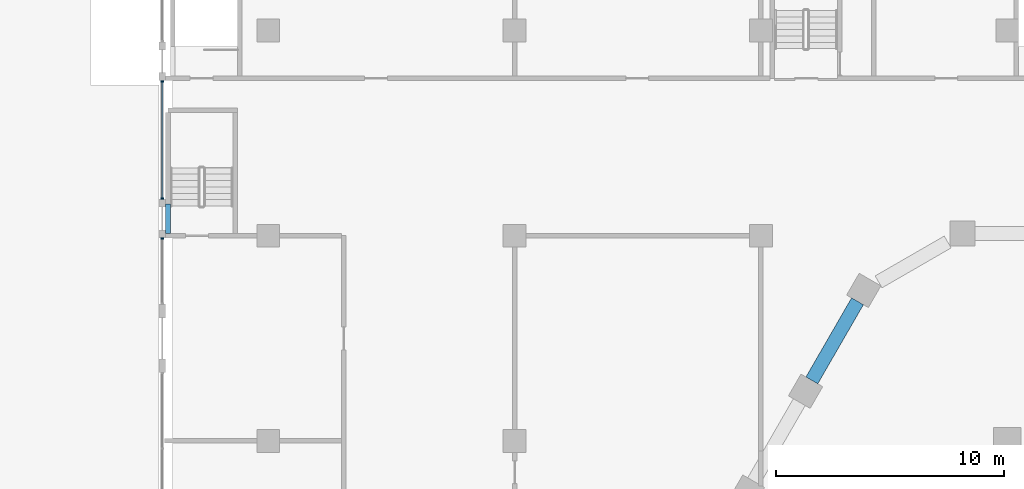
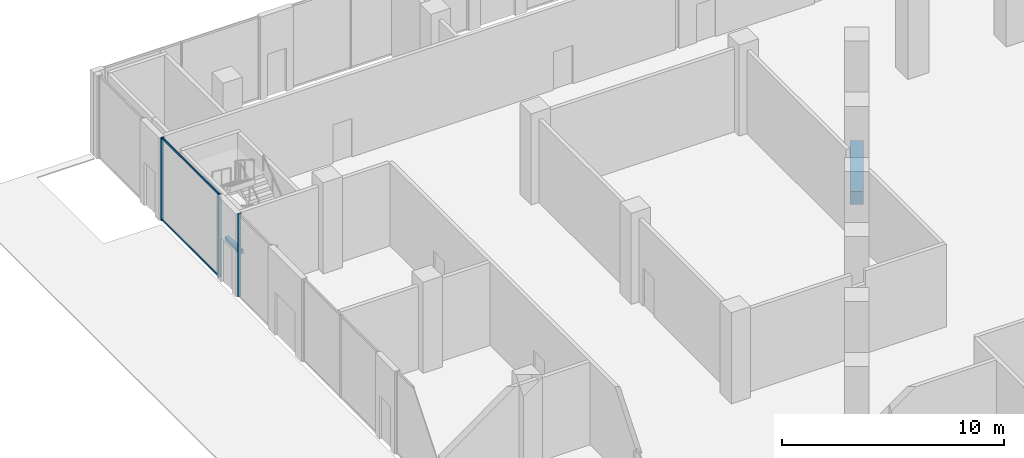
# One storey, part 11 of 57: 5 members, 2 beams, 2 elements without a shape of their own.
"""IFC4 building model written with IfcOpenShell, lengths in metres."""

from ifc_helpers import new_model, si_unit, direction, frame, origin, origin_2d, place, context, subcontext, project, spatial, rectangle, hollow_rectangle, extrude, material, material_profile, profile_set, type_object, element, aggregate, save


model = new_model("IFC4")

# Units and contexts
model_context = context("Model", 3, precision=1e-05, world=origin(), true_north=direction((0.0, 1.0)))
body_context = subcontext(model_context, "Body", "Model", "MODEL_VIEW")
ifc_project = project(units=[si_unit("LENGTHUNIT", "METRE"), si_unit("AREAUNIT", "SQUARE_METRE"), si_unit("VOLUMEUNIT", "CUBIC_METRE"), si_unit("PLANEANGLEUNIT", "RADIAN"), si_unit("MASSUNIT", "GRAM", prefix="KILO")], contexts=[model_context])

# Site, building, storey
site_placement = place(None, origin())
site = spatial("IfcSite", under=ifc_project, at=site_placement, CompositionType="ELEMENT")
building_placement = place(site_placement, origin())
building = spatial("IfcBuilding", under=site, at=building_placement, Name="Beryl Residences", CompositionType="ELEMENT")
storey_placement = place(building_placement, origin())
storey = spatial("IfcBuildingStorey", under=building, at=storey_placement, Name="L00", CompositionType="ELEMENT", Elevation=0.0)

# Curtain wall, members
ifc_material_1 = material(Name="Aluminium and clear glass", Category="aluminium")
curtain_wall_type = type_object("IfcCurtainWallType", Name="CW1 shopfront glazed wall", PredefinedType="NOTDEFINED", material=ifc_material_1)
curtain_wall_1_placement = place(storey_placement, origin())
curtain_wall_1 = element("IfcCurtainWall", 1, at=curtain_wall_1_placement, inside=storey, type_object=curtain_wall_type, Name="CW1 L00 W", PredefinedType="NOTDEFINED")
ifc_material_2 = material(Name="Aluminium", Category="aluminium")
ifc_material_profile_1 = material_profile(ifc_material_2, rectangle(XDim=0.06005859375, YDim=0.14990234375, at=origin_2d()))
ifc_profile_set_1 = profile_set([ifc_material_profile_1], Name="Aluminium")
member_type_1 = type_object("IfcMemberType", Name="CW1-M mullion 60 x 150 mm", PredefinedType="MULLION", material=ifc_profile_set_1)
member_1_placement = place(storey_placement, frame((-47.85009765625, 33.77001953125, 0.0), z_axis=(0.0, 0.0, 1.0), x_axis=(0.0, -1.0, 0.0)))
member_1 = element("IfcMember", 2, at=member_1_placement, type_object=member_type_1, Name="CW1 mullion 1", PredefinedType="MULLION", context=body_context, shape_type="SweptSolid", body=[
    extrude(rectangle(XDim=0.06005859375, YDim=0.14990234375, at=origin_2d()), origin(), (0.0, 0.0, 1.0), 4.550048828125),
])
member_2_placement = place(storey_placement, frame((-47.85009765625, 28.6298828125, 0.0), z_axis=(0.0, 0.0, 1.0), x_axis=(0.0, -1.0, 0.0)))
member_2 = element("IfcMember", 3, at=member_2_placement, type_object=member_type_1, Name="CW1 mullion 2", PredefinedType="MULLION", context=body_context, shape_type="SweptSolid", body=[
    extrude(rectangle(XDim=0.06005859375, YDim=0.14990234375, at=origin_2d()), origin(), (0.0, 0.0, 1.0), 4.550048828125),
])

# Curtain wall, member
curtain_wall_2_placement = place(storey_placement, origin())
curtain_wall_2 = element("IfcCurtainWall", 4, at=curtain_wall_2_placement, inside=storey, type_object=curtain_wall_type, Name="CW1 L00 W", PredefinedType="NOTDEFINED")
member_3_placement = place(storey_placement, frame((-47.85009765625, 26.8701171875, 0.0), z_axis=(0.0, 0.0, 1.0), x_axis=(0.0, -1.0, 0.0)))
member_3 = element("IfcMember", 5, at=member_3_placement, type_object=member_type_1, Name="CW1 mullion 1", PredefinedType="MULLION", context=body_context, shape_type="SweptSolid", body=[
    extrude(rectangle(XDim=0.06005859375, YDim=0.14990234375, at=origin_2d()), origin(), (0.0, 0.0, 1.0), 4.550048828125),
])
aggregate(curtain_wall_2, [member_3])

# Member
ifc_material_3 = material(Name="Aluminium", Category="aluminium")
ifc_material_profile_2 = material_profile(ifc_material_3, hollow_rectangle(XDim=0.06005859375, YDim=0.10009765625, WallThickness=0.00390625, at=origin_2d()))
ifc_profile_set_2 = profile_set([ifc_material_profile_2], Name="Aluminium")
member_type_2 = type_object("IfcMemberType", Name="CW1-T transom 60 x 100 mm", PredefinedType="USERDEFINED", material=ifc_profile_set_2)
member_4_placement = place(storey_placement, frame((-47.85009765625, 33.739990234375, 0.030029296875), z_axis=(0.0, -1.0, 0.0), x_axis=(1.0, 0.0, 0.0)))
member_4 = element("IfcMember", 6, at=member_4_placement, type_object=member_type_2, Name="CW1 transom 1.1", ObjectType="TRANSOM", PredefinedType="USERDEFINED", context=body_context, shape_type="SweptSolid", body=[
    extrude(hollow_rectangle(XDim=0.06005859375, YDim=0.10009765625, WallThickness=0.00390625, at=origin_2d()), origin(), (0.0, 0.0, 1.0), 5.080078125),
])

member_5_placement = place(storey_placement, frame((-47.85009765625, 33.739990234375, 4.52001953125), z_axis=(0.0, -1.0, 0.0), x_axis=(1.0, 0.0, 0.0)))
member_5 = element("IfcMember", 7, at=member_5_placement, type_object=member_type_2, Name="CW1 transom 1.2", ObjectType="TRANSOM", PredefinedType="USERDEFINED", context=body_context, shape_type="SweptSolid", body=[
    extrude(hollow_rectangle(XDim=0.06005859375, YDim=0.10009765625, WallThickness=0.00390625, at=origin_2d()), origin(), (0.0, 0.0, 1.0), 5.080078125),
])

aggregate(curtain_wall_1, [member_1, member_2, member_4, member_5])

# Beams
ifc_material_4 = material(Name="Concrete C40/50", Category="concrete")
ifc_material_profile_3 = material_profile(ifc_material_4, rectangle(XDim=0.199951171875, YDim=0.199951171875, at=origin_2d()))
ifc_profile_set_3 = profile_set([ifc_material_profile_3], Name="Concrete C40/50")
beam_type_1 = type_object("IfcBeamType", Name="LB1 lintel beam 200 x 200 mm Concrete C40/50", PredefinedType="LINTEL", material=ifc_profile_set_3)
beam_1_placement = place(storey_placement, frame((-47.60009765625, 27.10009765625, 2.199951171875), z_axis=(0.0, 1.0, 0.0), x_axis=(-1.0, 0.0, 0.0)))
element("IfcBeam", 8, at=beam_1_placement, inside=storey, type_object=beam_type_1, Name="LB1 L00 stair door lintel", PredefinedType="LINTEL", context=body_context, shape_type="SweptSolid", body=[
    extrude(rectangle(XDim=0.199951171875, YDim=0.199951171875, at=origin_2d()), origin(), (0.0, 0.0, 1.0), 1.2998046875),
])
ifc_material_5 = material(Name="Concrete C80/95", Category="concrete")
ifc_material_profile_4 = material_profile(ifc_material_5, rectangle(XDim=0.60009765625, YDim=0.699951171875, at=origin_2d()))
ifc_profile_set_4 = profile_set([ifc_material_profile_4], Name="Concrete C80/95")
beam_type_2 = type_object("IfcBeamType", Name="SB1 spandrel beam 600 x 700 C80/95", PredefinedType="SPANDREL", material=ifc_profile_set_4)
beam_2_placement = place(storey_placement, frame((-17.364990234375, 24.1240234375, -0.800048828125), z_axis=(-0.499942357345, -0.866058681229, 0.0), x_axis=(0.866058681229, -0.499942357345, 0.0)))
element("IfcBeam", 9, at=beam_2_placement, inside=storey, type_object=beam_type_2, Name="SB1 L00 NW-0", PredefinedType="SPANDREL", context=body_context, shape_type="SweptSolid", body=[
    extrude(rectangle(XDim=0.60009765625, YDim=0.699951171875, at=origin_2d()), origin(), (0.0, 0.0, 1.0), 4.00439453125),
])

save(model, "model.ifc")
